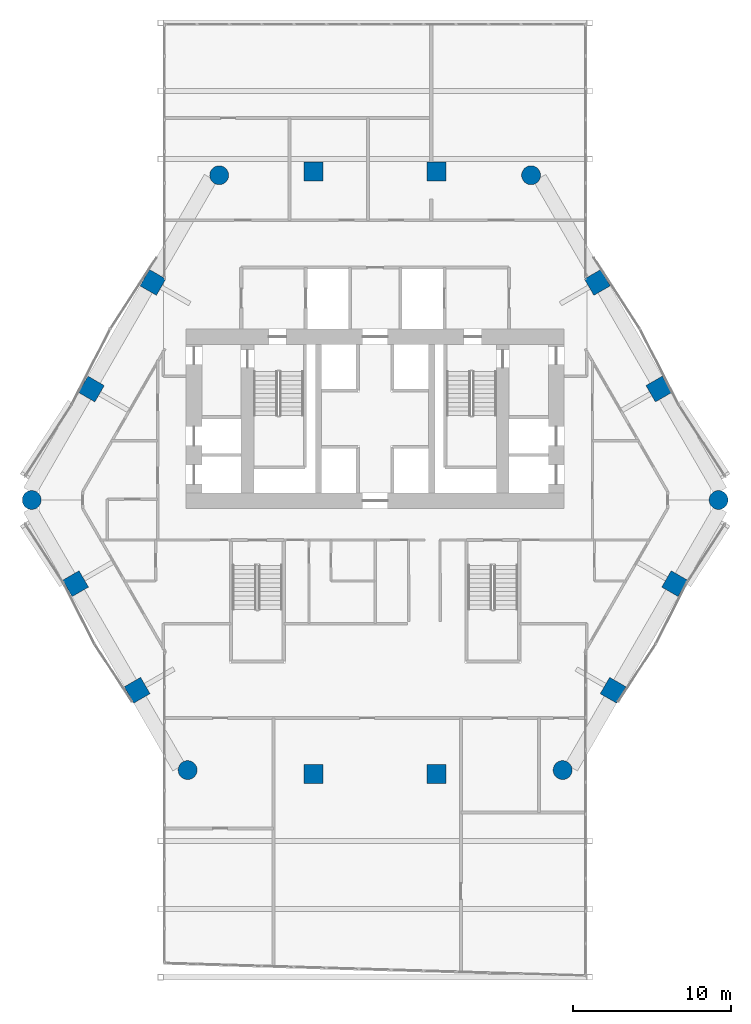
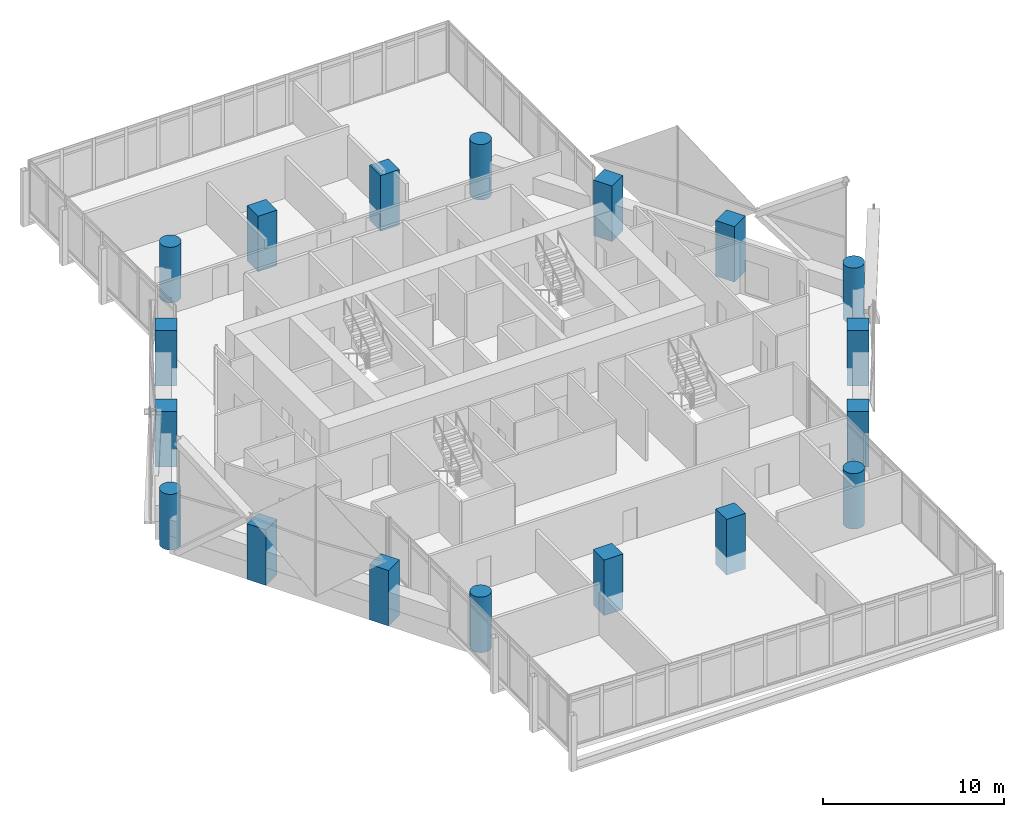
# One storey, part 1 of 36: 18 columns.
"""IFC4 building model written with IfcOpenShell, lengths in metres."""

from ifc_helpers import new_model, si_unit, direction, frame, origin, origin_2d, place, context, subcontext, project, spatial, rectangle, circle, extrude, material, material_profile, profile_set, type_object, element, save


model = new_model("IFC4")

# Units and contexts
model_context = context("Model", 3, precision=1e-05, world=origin(), true_north=direction((0.0, 1.0)))
body_context = subcontext(model_context, "Body", "Model", "MODEL_VIEW")
ifc_project = project(units=[si_unit("LENGTHUNIT", "METRE"), si_unit("AREAUNIT", "SQUARE_METRE"), si_unit("VOLUMEUNIT", "CUBIC_METRE"), si_unit("PLANEANGLEUNIT", "RADIAN"), si_unit("MASSUNIT", "GRAM", prefix="KILO")], contexts=[model_context])

# Site, building, storey
site_placement = place(None, origin())
site = spatial("IfcSite", under=ifc_project, at=site_placement, CompositionType="ELEMENT")
building_placement = place(site_placement, origin())
building = spatial("IfcBuilding", under=site, at=building_placement, Name="Ostrander Bayou Hotel Tower", CompositionType="ELEMENT")
storey_placement = place(building_placement, frame((0.0, 0.0, 138.5)))
storey = spatial("IfcBuildingStorey", under=building, at=storey_placement, Name="L34", CompositionType="ELEMENT", Elevation=138.5)

# Columns
ifc_material_1 = material(Name="Concrete f'c 70 MPa", Category="concrete")
ifc_material_profile_1 = material_profile(ifc_material_1, circle(Radius=0.60009765625, at=origin_2d()))
ifc_profile_set_1 = profile_set([ifc_material_profile_1], Name="Concrete f'c 70 MPa")
column_type_1 = type_object("IfcColumnType", Name="C3 round column 1200 mm f'c 70 MPa", PredefinedType="COLUMN", material=ifc_profile_set_1)
for number, where, z_axis, x_axis, name in (
    (1, (-9.899169921875, 19.458740234375, -1.199951171875), (0.0, 0.0, 1.0), (1.0, 0.0, 0.0), "C3 L34 K0"),
    (2, (-21.801513671875, -1.156494140625, -1.199951171875), (0.0, 0.0, 1.0), (1.0, 0.0, 0.0), "C3 L34 K1"),
    (3, (-11.90234375, -18.302490234375, -1.199951171875), (0.0, 0.0, 1.0), (1.0, 0.0, 0.0), "C3 L34 K2"),
    (4, (11.90234375, -18.302490234375, -1.199951171875), (0.0, 0.0, 1.0), (1.0, 0.0, 0.0), "C3 L34 K3"),
    (5, (21.801513671875, -1.156494140625, -1.199951171875), (0.0, 0.0, 1.0), (1.0, 0.0, 0.0), "C3 L34 K4"),
    (6, (9.899169921875, 19.458740234375, -1.199951171875), (0.0, 0.0, 1.0), (1.0, 0.0, 0.0), "C3 L34 K5"),
):
    element("IfcColumn", number, at=place(storey_placement, frame(where, z_axis=z_axis, x_axis=x_axis)), inside=storey, type_object=column_type_1, Name=name, PredefinedType="COLUMN", context=body_context, shape_type="SweptSolid", body=[
        extrude(circle(Radius=0.60009765625, at=origin_2d()), origin(), (0.0, 0.0, 1.0), 3.75),
    ])
ifc_material_2 = material(Name="Concrete f'c 70 MPa", Category="concrete")
ifc_material_profile_2 = material_profile(ifc_material_2, rectangle(XDim=1.199951171875, YDim=1.199951171875, at=origin_2d()))
ifc_profile_set_2 = profile_set([ifc_material_profile_2], Name="Concrete f'c 70 MPa")
column_type_2 = type_object("IfcColumnType", Name="C4 square column 1200 x 1200 mm f'c 70 MPa", PredefinedType="COLUMN", material=ifc_profile_set_2)
for number, where, z_axis, x_axis, name in (
    (7, (3.90673828125, 19.699951171875, -1.199951171875), (0.0, 0.0, 1.0), (1.0, 0.0, 0.0), "C4 L34 N1"),
    (8, (-3.90673828125, 19.699951171875, -1.199951171875), (0.0, 0.0, 1.0), (1.0, 0.0, 0.0), "C4 L34 N2"),
    (9, (-14.105712890625, 12.655029296875, -1.199951171875), (0.0, 0.0, 1.0), (0.5, 0.866025403784, 0.0), "C4 L34 NW1"),
    (10, (-18.012451171875, 5.888427734375, -1.199951171875), (0.0, 0.0, 1.0), (0.5, 0.866025403784, 0.0), "C4 L34 NW2"),
    (11, (-19.01416015625, -6.466796875, -1.199951171875), (0.0, 0.0, 1.0), (-0.5, 0.866025403784, 0.0), "C4 L34 SW1"),
    (12, (-15.107421875, -13.2333984375, -1.199951171875), (0.0, 0.0, 1.0), (-0.5, 0.866025403784, 0.0), "C4 L34 SW2"),
    (13, (-3.90673828125, -18.54345703125, -1.199951171875), (0.0, 0.0, 1.0), (-1.0, 0.0, 0.0), "C4 L34 S1"),
    (14, (3.90673828125, -18.54345703125, -1.199951171875), (0.0, 0.0, 1.0), (-1.0, 0.0, 0.0), "C4 L34 S2"),
    (15, (15.107421875, -13.2333984375, -1.199951171875), (0.0, 0.0, 1.0), (-0.5, -0.866025403784, 0.0), "C4 L34 SE1"),
    (16, (19.01416015625, -6.466796875, -1.199951171875), (0.0, 0.0, 1.0), (-0.5, -0.866025403784, 0.0), "C4 L34 SE2"),
    (17, (18.012451171875, 5.888427734375, -1.199951171875), (0.0, 0.0, 1.0), (0.5, -0.866025403784, 0.0), "C4 L34 NE1"),
    (18, (14.105712890625, 12.655029296875, -1.199951171875), (0.0, 0.0, 1.0), (0.5, -0.866025403784, 0.0), "C4 L34 NE2"),
):
    element("IfcColumn", number, at=place(storey_placement, frame(where, z_axis=z_axis, x_axis=x_axis)), inside=storey, type_object=column_type_2, Name=name, PredefinedType="COLUMN", context=body_context, shape_type="SweptSolid", body=[
        extrude(rectangle(XDim=1.199951171875, YDim=1.199951171875, at=origin_2d()), origin(), (0.0, 0.0, 1.0), 3.75),
    ])

save(model, "model.ifc")
